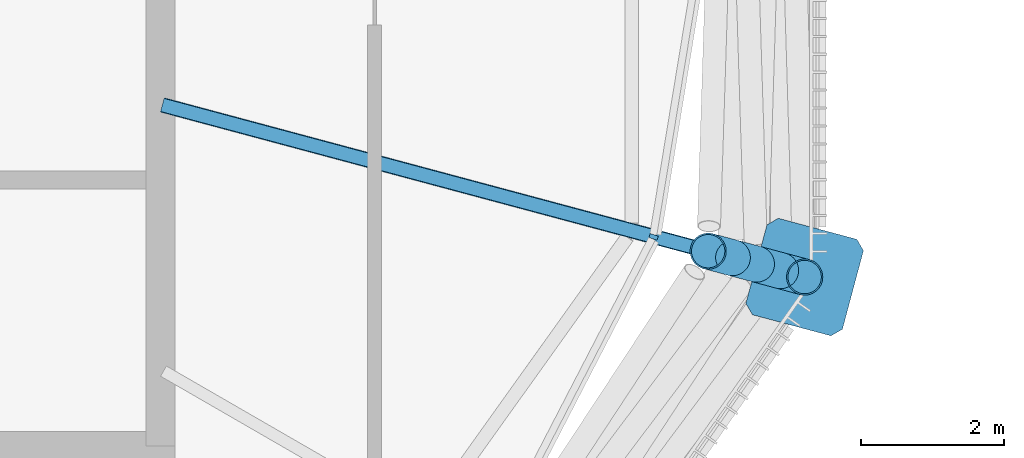
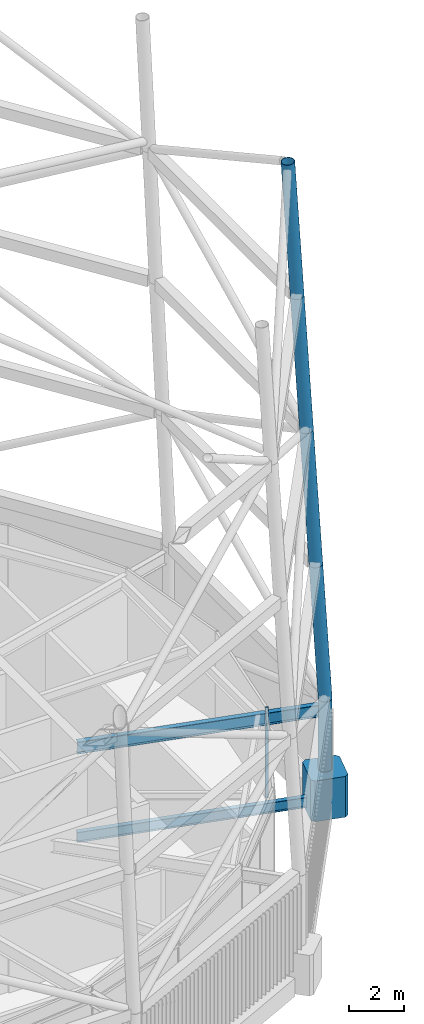
# One storey, part 21 of 71: 7 members, 2 beams, 1 element without a shape of its own.
"""IFC4 building model written with IfcOpenShell, lengths in metres."""

from ifc_helpers import new_model, si_unit, direction, frame, origin, origin_2d, place, context, subcontext, project, spatial, polyline, rectangle, hollow_circle, i_section, outline, extrude, material, material_profile, profile_set, type_object, element, aggregate, save


model = new_model("IFC4")

# Units and contexts
model_context = context("Model", 3, precision=1e-05, world=origin(), true_north=direction((0.0, 1.0)))
body_context = subcontext(model_context, "Body", "Model", "MODEL_VIEW")
ifc_project = project(units=[si_unit("LENGTHUNIT", "METRE"), si_unit("AREAUNIT", "SQUARE_METRE"), si_unit("VOLUMEUNIT", "CUBIC_METRE"), si_unit("PLANEANGLEUNIT", "RADIAN"), si_unit("MASSUNIT", "GRAM", prefix="KILO")], contexts=[model_context])

# Site, building, storey
site_placement = place(None, origin())
site = spatial("IfcSite", under=ifc_project, at=site_placement, CompositionType="ELEMENT")
building_placement = place(site_placement, origin())
building = spatial("IfcBuilding", under=site, at=building_placement, Name="Rimbun Link Towers", CompositionType="ELEMENT")
storey_placement = place(building_placement, frame((0.0, 0.0, 267.60009765625)))
storey = spatial("IfcBuildingStorey", under=building, at=storey_placement, Name="L65", CompositionType="ELEMENT", Elevation=267.60009765625)

# Curtain wall, member
ifc_material_1 = material(Name="Aluminium 6063-T6 louvre wall", Category="aluminium")
curtain_wall_type = type_object("IfcCurtainWallType", Name="CW6 plant floor louvre wall", PredefinedType="NOTDEFINED", material=ifc_material_1)
curtain_wall_placement = place(storey_placement, origin())
curtain_wall = element("IfcCurtainWall", 1, at=curtain_wall_placement, inside=storey, type_object=curtain_wall_type, Name="CW6 L65 T1", PredefinedType="NOTDEFINED")
ifc_material_2 = material(Name="Aluminium 6063-T6", Category="aluminium")
ifc_material_profile_1 = material_profile(ifc_material_2, rectangle(XDim=0.1201171875, YDim=0.06005859375, at=origin_2d()), Name="MULLION 60X120")
ifc_profile_set_1 = profile_set([ifc_material_profile_1], Name="Aluminium 6063-T6")
member_type_1 = type_object("IfcMemberType", Name="CW6 mullion 60X120", PredefinedType="MULLION", material=ifc_profile_set_1)
member_1_placement = place(storey_placement, frame((-12.83935546875, -5.07080078125, 0.0), z_axis=(0.0, 0.0, 1.0), x_axis=(0.949160819046, -0.31479158119, 0.0)))
member_1 = element("IfcMember", 2, at=member_1_placement, type_object=member_type_1, Name="CW6 mullion", PredefinedType="MULLION", context=body_context, shape_type="SweptSolid", body=[
    extrude(rectangle(XDim=0.1201171875, YDim=0.06005859375, at=origin_2d()), origin(), (0.0, 0.0, 1.0), 4.0),
])
aggregate(curtain_wall, [member_1])

# Members
ifc_material_3 = material(Name="Steel S355J2H", Category="steel")
ifc_material_profile_2 = material_profile(ifc_material_3, hollow_circle(Radius=0.25390625, WallThickness=0.02001953125, at=origin_2d()), Name="Crown frame post CHS 508x20")
ifc_profile_set_2 = profile_set([ifc_material_profile_2], Name="Steel S355J2H")
member_type_2 = type_object("IfcMemberType", Name="Crown frame post CHS 508x20", PredefinedType="POST", material=ifc_profile_set_2)
member_2_placement = place(storey_placement, frame((-10.722900390625, -5.63427734375, 0.0), z_axis=(0.0, 0.0, 1.0), x_axis=(1.0, 0.0, 0.0)))
element("IfcMember", 3, at=member_2_placement, inside=storey, type_object=member_type_2, Name="CROWN FRAME post T1 1-11", PredefinedType="POST", context=body_context, shape_type="SweptSolid", body=[
    extrude(hollow_circle(Radius=0.25390625, WallThickness=0.02001953125, at=origin_2d()), origin(), (0.0, 0.0, 1.0), 4.0),
])
for number, where, z_axis, x_axis, name in (
    (4, (-10.722900390625, -5.63427734375, 4.0), (-0.056260124661, 0.015070401624, 0.998302399761), (-0.258747705633, -0.965944938819, 0.0), "CROWN FRAME post T1 2-11"),
    (5, (-11.06103515625, -5.543701171875, 10.0), (-0.056260090174, 0.01511101339, 0.998301787802), (-0.259398269136, -0.96577043751, 0.0), "CROWN FRAME post T1 3-11"),
    (6, (-11.399169921875, -5.452880859375, 16.0), (-0.056260124661, 0.015070401624, 0.998302399761), (-0.258747705633, -0.965944938819, 0.0), "CROWN FRAME post T1 4-11"),
    (7, (-11.7373046875, -5.3623046875, 22.0), (-0.056219632067, 0.015070436053, 0.998304680409), (-0.258922132605, -0.96589819818, 0.0), "CROWN FRAME post T1 5-11"),
):
    element("IfcMember", number, at=place(storey_placement, frame(where, z_axis=z_axis, x_axis=x_axis)), inside=storey, type_object=member_type_2, Name=name, PredefinedType="POST", context=body_context, shape_type="SweptSolid", body=[
        extrude(hollow_circle(Radius=0.25390625, WallThickness=0.02001953125, at=origin_2d()), origin(), (0.0, 0.0, 1.0), 6.01025390625),
    ])
ifc_material_4 = material(Name="Cast steel G20Mn5+QT, Rp0.2 300 MPa", Category="steel")
ifc_material_profile_3 = material_profile(ifc_material_4, outline(polyline([(0.699951171875, -0.570068359375), (0.699951171875, 0.570068359375), (0.570068359375, 0.699951171875), (-0.570068359375, 0.699951171875), (-0.699951171875, 0.570068359375), (-0.699951171875, -0.570068359375), (-0.570068359375, -0.699951171875), (0.570068359375, -0.699951171875), (0.699951171875, -0.570068359375)])), Name="NODE 1400x1400")
ifc_profile_set_3 = profile_set([ifc_material_profile_3], Name="Cast steel G20Mn5+QT, Rp0.2 300 MPa")
member_type_3 = type_object("IfcMemberType", Name="Diagrid node cast 1400", PredefinedType="USERDEFINED", material=ifc_profile_set_3)
member_3_placement = place(storey_placement, frame((-10.722900390625, -5.63427734375, -0.900146484375), z_axis=(0.0, 0.0, 1.0), x_axis=(0.965925826289, -0.258819045103, 0.0)))
element("IfcMember", 8, at=member_3_placement, inside=storey, type_object=member_type_3, Name="Diagrid node L65 23", ObjectType="Diagrid node", PredefinedType="USERDEFINED", context=body_context, shape_type="SweptSolid", body=[
    extrude(outline(polyline([(0.699951171875, -0.570068359375), (0.699951171875, 0.570068359375), (0.570068359375, 0.699951171875), (-0.570068359375, 0.699951171875), (-0.699951171875, 0.570068359375), (-0.699951171875, -0.570068359375), (-0.570068359375, -0.699951171875), (0.570068359375, -0.699951171875), (0.699951171875, -0.570068359375)])), origin(), (0.0, 0.0, 1.0), 1.800048828125),
])

# Beams
ifc_material_5 = material(Name="Steel S355J2", Category="steel")
ifc_material_profile_4 = material_profile(ifc_material_5, i_section(OverallWidth=0.18994140625, OverallDepth=0.453369140625, WebThickness=0.008544921875, FlangeThickness=0.0126953125, at=origin_2d()), Name="UB 457x191x67")
ifc_profile_set_4 = profile_set([ifc_material_profile_4], Name="Steel S355J2")
beam_type_1 = type_object("IfcBeamType", Name="UB 457x191x67", PredefinedType="BEAM", material=ifc_profile_set_4)
beam_1_placement = place(storey_placement, frame((-19.724609375, -3.222412109375, -0.4267578125), z_axis=(0.965927786398, -0.258811729767, 0.0), x_axis=(0.258811729767, 0.965927786398, 0.0)))
element("IfcBeam", 9, at=beam_1_placement, inside=storey, type_object=beam_type_1, Name="Radial beam T1 L65 23", PredefinedType="BEAM", context=body_context, shape_type="SweptSolid", body=[
    extrude(i_section(OverallWidth=0.18994140625, OverallDepth=0.453369140625, WebThickness=0.008544921875, FlangeThickness=0.0126953125, at=origin_2d()), origin(), (0.0, 0.0, 1.0), 8.819091796875),
])
ifc_material_6 = material(Name="Steel S355J2", Category="steel")
ifc_material_profile_5 = material_profile(ifc_material_6, i_section(OverallWidth=0.209228515625, OverallDepth=0.533203125, WebThickness=0.010009765625, FlangeThickness=0.015625, at=origin_2d()), Name="UB 533x210x92")
ifc_profile_set_5 = profile_set([ifc_material_profile_5], Name="Steel S355J2")
beam_type_2 = type_object("IfcBeamType", Name="UB 533x210x92", PredefinedType="BEAM", material=ifc_profile_set_5)
beam_2_placement = place(storey_placement, frame((-19.721923828125, -3.222900390625, 3.533447265625), z_axis=(0.965925068191, -0.258821874346, 0.0), x_axis=(0.258821874346, 0.965925068191, 0.0)))
element("IfcBeam", 10, at=beam_2_placement, inside=storey, type_object=beam_type_2, Name="Radial beam T1 L65 23", PredefinedType="BEAM", context=body_context, shape_type="SweptSolid", body=[
    extrude(i_section(OverallWidth=0.209228515625, OverallDepth=0.533203125, WebThickness=0.010009765625, FlangeThickness=0.015625, at=origin_2d()), origin(), (0.0, 0.0, 1.0), 9.056396484375),
])

save(model, "model.ifc")
